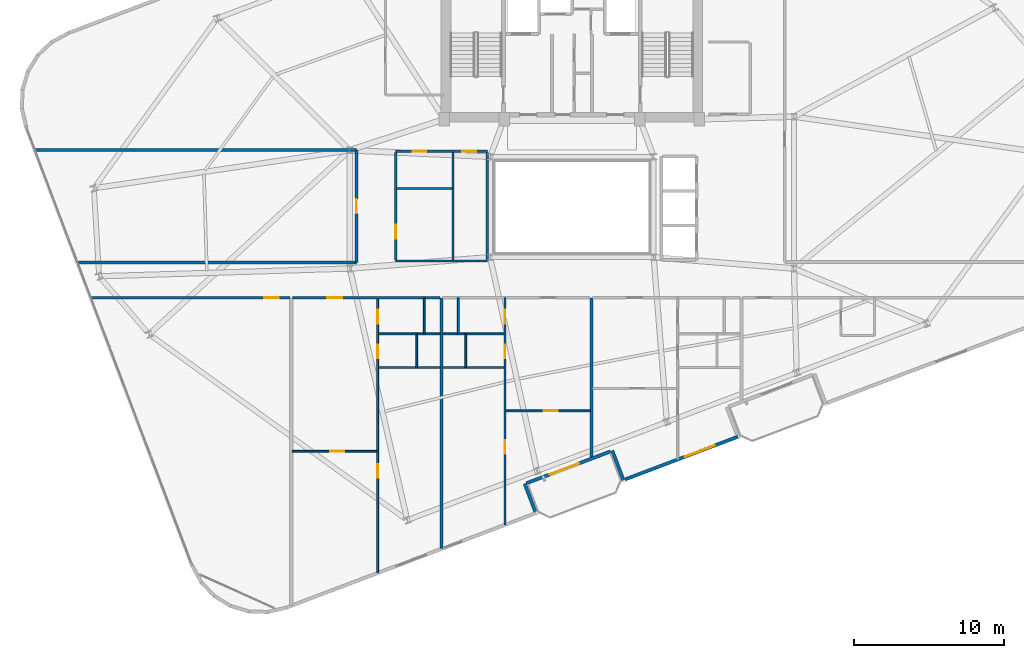
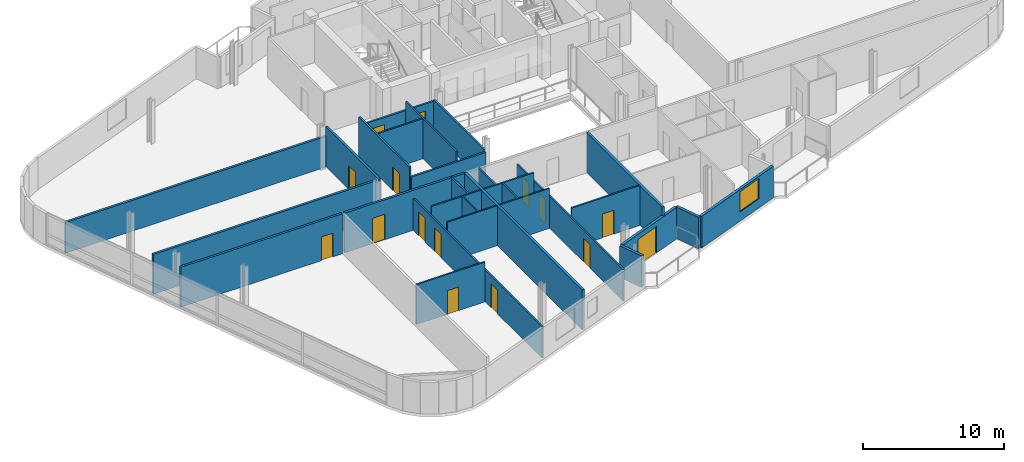
# One storey, part 18 of 24: 29 walls, 15 doors, 1 window, 16 openings.
"""IFC4 building model written with IfcOpenShell, lengths in metres."""

from ifc_helpers import new_model, si_unit, direction, frame, frame_2d, origin, place, context, subcontext, project, spatial, rectangle, extrude, material, layer, layer_set, type_object, element, fill, save


model = new_model("IFC4")

# Units and contexts
model_context = context("Model", 3, precision=1e-05, world=origin(), true_north=direction((0.0, 1.0)))
body_context = subcontext(model_context, "Body", "Model", "MODEL_VIEW")
ifc_project = project(units=[si_unit("LENGTHUNIT", "METRE"), si_unit("AREAUNIT", "SQUARE_METRE"), si_unit("VOLUMEUNIT", "CUBIC_METRE"), si_unit("PLANEANGLEUNIT", "RADIAN"), si_unit("MASSUNIT", "GRAM", prefix="KILO")], contexts=[model_context])

# Site, building, storey
site_placement = place(None, origin())
site = spatial("IfcSite", under=ifc_project, at=site_placement, CompositionType="ELEMENT")
building_placement = place(site_placement, origin())
building = spatial("IfcBuilding", under=site, at=building_placement, Name="Varnelok Gate Tower", CompositionType="ELEMENT")
storey_placement = place(building_placement, frame((0.0, 0.0, 212.699951171875)))
storey = spatial("IfcBuildingStorey", under=building, at=storey_placement, Name="L54", CompositionType="ELEMENT", Elevation=212.699951171875)

# Wall, opening, door
ifc_material_1 = material(Name="Concrete C45/55", Category="concrete")
ifc_layer_1 = layer(ifc_material_1, 0.219970703125)
ifc_layer_set_1 = layer_set([ifc_layer_1], Name="Concrete C45/55")
wall_type_1 = type_object("IfcWallType", Name="EW-BALC-220", PredefinedType="SOLIDWALL", material=ifc_layer_set_1)
wall_1_placement = place(storey_placement, frame((41.783203125, 6.6142578125, 0.0), z_axis=(0.0, 0.0, 1.0), x_axis=(-0.93521416643, -0.354082565101, 0.0)))
wall_1 = element("IfcWall", 1, at=wall_1_placement, inside=storey, type_object=wall_type_1, Name="L54 South Terrace Envelope Wall 1", PredefinedType="SOLIDWALL", context=body_context, shape_type="SweptSolid", body=[
    extrude(rectangle(XDim=6.0, YDim=0.219970703125, at=frame_2d((3.0, 0.0))), origin(), (0.0, 0.0, 1.0), 2.72998046875),
])
opening_1_placement = place(wall_1_placement, frame((2.260009765625, 0.0, 0.0)))
opening_1 = element("IfcOpeningElement", 2, at=opening_1_placement, cuts=wall_1, Name="Opening BD-2", PredefinedType="OPENING", context=body_context, shape_type="SweptSolid", body=[
    extrude(rectangle(XDim=2.10009765625, YDim=2.300048828125, at=frame_2d((1.050048828125, 1.14990234375))), frame((0.0, 0.119873046875, 0.0), z_axis=(0.0, -1.0, 0.0), x_axis=(1.0, 0.0, 0.0)), (0.0, 0.0, 1.0), 0.239990234375),
])
ifc_material_2 = material(Name="Anodized Aluminum Alloy 6063-T6", Category="aluminium")
door_type_1 = type_object("IfcDoorType", Name="DR-EXT-SLID2100", OperationType="SLIDING_TO_LEFT", PredefinedType="DOOR", material=ifc_material_2)
door_1_placement = place(opening_1_placement, origin())
door_1 = element("IfcDoor", 3, at=door_1_placement, inside=storey, type_object=door_type_1, Name="L54 South Balcony Glazed Door 1", OperationType="SLIDING_TO_LEFT", OverallHeight=2.300048828125, OverallWidth=2.10009765625, PredefinedType="DOOR", context=body_context, shape_type="SweptSolid", body=[
    extrude(rectangle(XDim=2.10009765625, YDim=2.300048828125, at=frame_2d((1.050048828125, 1.14990234375))), frame((0.0, 0.02490234375, 0.0), z_axis=(0.0, -1.0, 0.0), x_axis=(1.0, 0.0, 0.0)), (0.0, 0.0, 1.0), 0.050048828125),
])
fill(opening_1, door_1)

# Walls
wall_2_placement = place(storey_placement, frame((36.75537109375, 2.609619140625, 0.0), z_axis=(0.0, 0.0, 1.0), x_axis=(-0.354020680661, 0.935237594232, 0.0)))
element("IfcWall", 4, at=wall_2_placement, inside=storey, type_object=wall_type_1, Name="L54 Perimeter Facade Closure Wall 8", PredefinedType="SOLIDWALL", context=body_context, shape_type="SweptSolid", body=[
    extrude(rectangle(XDim=1.97509765625, YDim=0.219970703125, at=frame_2d((0.987548828125, 0.0))), origin(), (0.0, 0.0, 1.0), 2.72998046875),
])
wall_3_placement = place(storey_placement, frame((41.891845703125, 6.666015625, 0.0), z_axis=(0.0, 0.0, 1.0), x_axis=(0.354128469405, -0.935196785258, 0.0)))
element("IfcWall", 5, at=wall_3_placement, inside=storey, type_object=wall_type_1, Name="L54 Perimeter Facade Closure Wall 9", PredefinedType="SOLIDWALL", context=body_context, shape_type="SweptSolid", body=[
    extrude(rectangle(XDim=2.099853515625, YDim=0.219970703125, at=frame_2d((1.0498046875, 0.0))), origin(), (0.0, 0.0, 1.0), 2.72998046875),
])

# Wall, opening, window
wall_4_placement = place(storey_placement, frame((42.75244140625, 4.746337890625, 0.0), z_axis=(0.0, 0.0, 1.0), x_axis=(0.935216926991, 0.354075273733, 0.0)))
wall_4 = element("IfcWall", 6, at=wall_4_placement, inside=storey, type_object=wall_type_1, Name="L54 Perimeter Facade Closure Wall 10", PredefinedType="SOLIDWALL", context=body_context, shape_type="SweptSolid", body=[
    extrude(rectangle(XDim=8.034912109375, YDim=0.219970703125, at=frame_2d((4.017578125, 0.0))), origin(), (0.0, 0.0, 1.0), 2.72998046875),
])
opening_2_placement = place(wall_4_placement, frame((4.273193359375, 0.0, 0.800048828125)))
opening_2 = element("IfcOpeningElement", 7, at=opening_2_placement, cuts=wall_4, Name="Opening WN4", PredefinedType="OPENING", context=body_context, shape_type="SweptSolid", body=[
    extrude(rectangle(XDim=2.10009765625, YDim=1.75, at=frame_2d((1.050048828125, 0.875))), frame((0.0, 0.119873046875, 0.0), z_axis=(0.0, -1.0, 0.0), x_axis=(1.0, 0.0, 0.0)), (0.0, 0.0, 1.0), 0.239990234375),
])
ifc_material_3 = material(Name="Low-E Laminated Double Glazing IGU", Category="glass")
window_type = type_object("IfcWindowType", Name="WN-SUI-2100", PartitioningType="SINGLE_PANEL", PredefinedType="WINDOW", material=ifc_material_3)
window_placement = place(opening_2_placement, origin())
window = element("IfcWindow", 8, at=window_placement, inside=storey, type_object=window_type, Name="L54 Perimeter Vision Window 10", OverallHeight=1.75, OverallWidth=2.10009765625, PartitioningType="SINGLE_PANEL", PredefinedType="WINDOW", context=body_context, shape_type="SweptSolid", body=[
    extrude(rectangle(XDim=2.10009765625, YDim=1.75, at=frame_2d((1.050048828125, 0.875))), frame((0.0, 0.030029296875, 0.0), z_axis=(0.0, -1.0, 0.0), x_axis=(1.0, 0.0, 0.0)), (0.0, 0.0, 1.0), 0.06005859375),
])
fill(opening_2, window)

# Wall, opening, door
ifc_material_4 = material(Name="Gypsum Plasterboard Acoustic Partition", Category="gypsum")
ifc_layer_2 = layer(ifc_material_4, 0.179931640625)
ifc_layer_set_2 = layer_set([ifc_layer_2], Name="Gypsum Plasterboard Acoustic Partition")
wall_type_2 = type_object("IfcWallType", Name="PW-CORR-180", PredefinedType="PARTITIONING", material=ifc_layer_set_2)
wall_5_placement = place(storey_placement, frame((7.196044921875, 16.85009765625, 0.0), z_axis=(0.0, 0.0, 1.0), x_axis=(1.0, 0.0, 0.0)))
wall_5 = element("IfcWall", 9, at=wall_5_placement, inside=storey, type_object=wall_type_2, Name="Interior Partition", PredefinedType="PARTITIONING", context=body_context, shape_type="SweptSolid", body=[
    extrude(rectangle(XDim=13.223876953125, YDim=0.179931640625, at=frame_2d((6.61181640625, 0.0))), origin(), (0.0, 0.0, 1.0), 3.449951171875),
])
opening_3_placement = place(wall_5_placement, frame((11.50390625, 0.0, 0.0)))
opening_3 = element("IfcOpeningElement", 10, at=opening_3_placement, cuts=wall_5, Name="Opening D-I2", PredefinedType="OPENING", context=body_context, shape_type="SweptSolid", body=[
    extrude(rectangle(XDim=0.949951171875, YDim=2.050048828125, at=frame_2d((0.47509765625, 1.02490234375))), frame((0.0, 0.099853515625, 0.0), z_axis=(0.0, -1.0, 0.0), x_axis=(1.0, 0.0, 0.0)), (0.0, 0.0, 1.0), 0.199951171875),
])
ifc_material_5 = material(Name="Engineered Hardwood Timber", Category="wood")
door_type_2 = type_object("IfcDoorType", Name="DR-INT-950", OperationType="NOTDEFINED", PredefinedType="DOOR", material=ifc_material_5)
door_2_placement = place(opening_3_placement, origin())
door_2 = element("IfcDoor", 11, at=door_2_placement, inside=storey, type_object=door_type_2, Name="L54 Wellness Spa Lounge Door", OperationType="SINGLE_SWING_LEFT", OverallHeight=2.050048828125, OverallWidth=0.949951171875, PredefinedType="DOOR", context=body_context, shape_type="SweptSolid", body=[
    extrude(rectangle(XDim=0.949951171875, YDim=2.050048828125, at=frame_2d((0.47509765625, 1.02490234375))), frame((0.0, 0.02490234375, 0.0), z_axis=(0.0, -1.0, 0.0), x_axis=(1.0, 0.0, 0.0)), (0.0, 0.0, 1.0), 0.050048828125),
])
fill(opening_3, door_2)

wall_6_placement = place(storey_placement, frame((20.580078125, 16.85009765625, 0.0), z_axis=(0.0, 0.0, 1.0), x_axis=(1.0, 0.0, 0.0)))
wall_6 = element("IfcWall", 12, at=wall_6_placement, inside=storey, type_object=wall_type_2, Name="Interior Partition", PredefinedType="PARTITIONING", context=body_context, shape_type="SweptSolid", body=[
    extrude(rectangle(XDim=9.83984375, YDim=0.179931640625, at=frame_2d((4.919921875, 0.0))), origin(), (0.0, 0.0, 1.0), 3.449951171875),
])
opening_4_placement = place(wall_6_placement, frame((2.302490234375, 0.0, 0.0)))
opening_4 = element("IfcOpeningElement", 13, at=opening_4_placement, cuts=wall_6, Name="Opening D-AP", PredefinedType="OPENING", context=body_context, shape_type="SweptSolid", body=[
    extrude(rectangle(XDim=1.0, YDim=2.199951171875, at=frame_2d((0.5, 1.10009765625))), frame((0.0, 0.099853515625, 0.0), z_axis=(0.0, -1.0, 0.0), x_axis=(1.0, 0.0, 0.0)), (0.0, 0.0, 1.0), 0.199951171875),
])
door_type_3 = type_object("IfcDoorType", Name="DR-APT-1000", OperationType="NOTDEFINED", PredefinedType="DOOR", material=ifc_material_5)
door_3_placement = place(opening_4_placement, origin())
door_3 = element("IfcDoor", 14, at=door_3_placement, inside=storey, type_object=door_type_3, Name="L54 Apartment 2 Entrance Door", OperationType="SINGLE_SWING_LEFT", OverallHeight=2.199951171875, OverallWidth=1.0, PredefinedType="DOOR", context=body_context, shape_type="SweptSolid", body=[
    extrude(rectangle(XDim=1.0, YDim=2.199951171875, at=frame_2d((0.5, 1.10009765625))), frame((0.0, 0.02490234375, 0.0), z_axis=(0.0, -1.0, 0.0), x_axis=(1.0, 0.0, 0.0)), (0.0, 0.0, 1.0), 0.050048828125),
])
fill(opening_4, door_3)

wall_7_placement = place(storey_placement, frame((24.85009765625, 19.199951171875, 0.0), z_axis=(0.0, 0.0, 1.0), x_axis=(0.0, 1.0, 0.0)))
wall_7 = element("IfcWall", 15, at=wall_7_placement, inside=storey, type_object=wall_type_2, Name="Interior Partition", PredefinedType="PARTITIONING", context=body_context, shape_type="SweptSolid", body=[
    extrude(rectangle(XDim=7.5, YDim=0.179931640625, at=frame_2d((3.75, 0.0))), origin(), (0.0, 0.0, 1.0), 3.449951171875),
])
opening_5_placement = place(wall_7_placement, frame((3.27490234375, 0.0, 0.0)))
opening_5 = element("IfcOpeningElement", 16, at=opening_5_placement, cuts=wall_7, Name="Opening D-I2", PredefinedType="OPENING", context=body_context, shape_type="SweptSolid", body=[
    extrude(rectangle(XDim=0.949951171875, YDim=2.050048828125, at=frame_2d((0.47509765625, 1.02490234375))), frame((0.0, 0.099853515625, 0.0), z_axis=(0.0, -1.0, 0.0), x_axis=(1.0, 0.0, 0.0)), (0.0, 0.0, 1.0), 0.199951171875),
])
door_4_placement = place(opening_5_placement, origin())
door_4 = element("IfcDoor", 17, at=door_4_placement, inside=storey, type_object=door_type_2, Name="L54 West Flank Room Door", OperationType="SINGLE_SWING_LEFT", OverallHeight=2.050048828125, OverallWidth=0.949951171875, PredefinedType="DOOR", context=body_context, shape_type="SweptSolid", body=[
    extrude(rectangle(XDim=0.949951171875, YDim=2.050048828125, at=frame_2d((0.47509765625, 1.02490234375))), frame((0.0, 0.02490234375, 0.0), z_axis=(0.0, -1.0, 0.0), x_axis=(1.0, 0.0, 0.0)), (0.0, 0.0, 1.0), 0.050048828125),
])
fill(opening_5, door_4)

# Walls
wall_8_placement = place(storey_placement, frame((6.306396484375, 19.199951171875, 0.0), z_axis=(0.0, 0.0, 1.0), x_axis=(1.0, 0.0, 0.0)))
element("IfcWall", 18, at=wall_8_placement, inside=storey, type_object=wall_type_2, Name="Interior Partition", PredefinedType="PARTITIONING", context=body_context, shape_type="SweptSolid", body=[
    extrude(rectangle(XDim=18.543701171875, YDim=0.179931640625, at=frame_2d((9.27197265625, 0.0))), origin(), (0.0, 0.0, 1.0), 3.449951171875),
])
wall_9_placement = place(storey_placement, frame((3.467041015625, 26.699951171875, 0.0), z_axis=(0.0, 0.0, 1.0), x_axis=(1.0, 0.0, 0.0)))
element("IfcWall", 19, at=wall_9_placement, inside=storey, type_object=wall_type_2, Name="Interior Partition", PredefinedType="PARTITIONING", context=body_context, shape_type="SweptSolid", body=[
    extrude(rectangle(XDim=21.383056640625, YDim=0.179931640625, at=frame_2d((10.69140625, 0.0))), origin(), (0.0, 0.0, 1.0), 2.662109375),
])
ifc_layer_3 = layer(ifc_material_4, 0.114990234375)
ifc_layer_set_3 = layer_set([ifc_layer_3], Name="Gypsum Plasterboard Acoustic Partition")
wall_type_3 = type_object("IfcWallType", Name="PW-ENS-125", PredefinedType="PARTITIONING", material=ifc_layer_set_3)
wall_10_placement = place(storey_placement, frame((26.3251953125, 12.199951171875, 0.0), z_axis=(0.0, 0.0, 1.0), x_axis=(1.0, 0.0, 0.0)))
element("IfcWall", 20, at=wall_10_placement, inside=storey, type_object=wall_type_3, Name="Interior Partition", PredefinedType="PARTITIONING", context=body_context, shape_type="SweptSolid", body=[
    extrude(rectangle(XDim=4.0947265625, YDim=0.114990234375, at=frame_2d((2.04736328125, 0.0))), origin(), (0.0, 0.0, 1.0), 3.449951171875),
])
wall_11_placement = place(storey_placement, frame((28.865234375, 12.199951171875, 0.0), z_axis=(0.0, 0.0, 1.0), x_axis=(0.0, 1.0, 0.0)))
element("IfcWall", 21, at=wall_11_placement, inside=storey, type_object=wall_type_3, Name="Interior Partition", PredefinedType="PARTITIONING", context=body_context, shape_type="SweptSolid", body=[
    extrude(rectangle(XDim=2.239990234375, YDim=0.114990234375, at=frame_2d((1.1201171875, 0.0))), origin(), (0.0, 0.0, 1.0), 3.449951171875),
])
wall_12_placement = place(storey_placement, frame((30.580078125, 12.199951171875, 0.0), z_axis=(0.0, 0.0, 1.0), x_axis=(1.0, 0.0, 0.0)))
element("IfcWall", 22, at=wall_12_placement, inside=storey, type_object=wall_type_3, Name="Interior Partition", PredefinedType="PARTITIONING", context=body_context, shape_type="SweptSolid", body=[
    extrude(rectangle(XDim=4.0947265625, YDim=0.114990234375, at=frame_2d((2.04736328125, 0.0))), origin(), (0.0, 0.0, 1.0), 3.449951171875),
])
wall_13_placement = place(storey_placement, frame((32.134765625, 12.199951171875, 0.0), z_axis=(0.0, 0.0, 1.0), x_axis=(0.0, 1.0, 0.0)))
element("IfcWall", 23, at=wall_13_placement, inside=storey, type_object=wall_type_3, Name="Interior Partition", PredefinedType="PARTITIONING", context=body_context, shape_type="SweptSolid", body=[
    extrude(rectangle(XDim=2.239990234375, YDim=0.114990234375, at=frame_2d((1.1201171875, 0.0))), origin(), (0.0, 0.0, 1.0), 3.449951171875),
])

# Wall, opening, door
ifc_layer_4 = layer(ifc_material_4, 0.125)
ifc_layer_set_4 = layer_set([ifc_layer_4], Name="Gypsum Plasterboard Acoustic Partition")
wall_type_4 = type_object("IfcWallType", Name="PW-PART-125", PredefinedType="PARTITIONING", material=ifc_layer_set_4)
wall_14_placement = place(storey_placement, frame((20.580078125, 6.62255859375, 0.0), z_axis=(0.0, 0.0, 1.0), x_axis=(1.0, 0.0, 0.0)))
wall_14 = element("IfcWall", 24, at=wall_14_placement, inside=storey, type_object=wall_type_4, Name="Interior Partition", PredefinedType="PARTITIONING", context=body_context, shape_type="SweptSolid", body=[
    extrude(rectangle(XDim=5.605224609375, YDim=0.125, at=frame_2d((2.802734375, 0.0))), origin(), (0.0, 0.0, 1.0), 3.449951171875),
])
opening_6_placement = place(wall_14_placement, frame((2.522216796875, 0.0, 0.0)))
opening_6 = element("IfcOpeningElement", 25, at=opening_6_placement, cuts=wall_14, Name="Opening D-I3", PredefinedType="OPENING", context=body_context, shape_type="SweptSolid", body=[
    extrude(rectangle(XDim=0.919921875, YDim=2.050048828125, at=frame_2d((0.4599609375, 1.02490234375))), frame((0.0, 0.072509765625, 0.0), z_axis=(0.0, -1.0, 0.0), x_axis=(1.0, 0.0, 0.0)), (0.0, 0.0, 1.0), 0.14501953125),
])
door_type_4 = type_object("IfcDoorType", Name="DR-INT-920", OperationType="NOTDEFINED", PredefinedType="DOOR", material=ifc_material_5)
door_5_placement = place(opening_6_placement, origin())
door_5 = element("IfcDoor", 26, at=door_5_placement, inside=storey, type_object=door_type_4, Name="L54 Apartment 2 Study Door", OperationType="SINGLE_SWING_LEFT", OverallHeight=2.050048828125, OverallWidth=0.919921875, PredefinedType="DOOR", context=body_context, shape_type="SweptSolid", body=[
    extrude(rectangle(XDim=0.919921875, YDim=2.050048828125, at=frame_2d((0.4599609375, 1.02490234375))), frame((0.0, 0.02490234375, 0.0), z_axis=(0.0, -1.0, 0.0), x_axis=(1.0, 0.0, 0.0)), (0.0, 0.0, 1.0), 0.050048828125),
])
fill(opening_6, door_5)

# Wall, openings, doors
wall_15_placement = place(storey_placement, frame((26.255126953125, -1.477783203125, 0.0), z_axis=(0.0, 0.0, 1.0), x_axis=(0.0, 1.0, 0.0)))
wall_15 = element("IfcWall", 27, at=wall_15_placement, inside=storey, type_object=wall_type_4, Name="Interior Partition", PredefinedType="PARTITIONING", context=body_context, shape_type="SweptSolid", body=[
    extrude(rectangle(XDim=18.327880859375, YDim=0.125, at=frame_2d((9.1640625, 0.0))), origin(), (0.0, 0.0, 1.0), 2.739013671875),
])
opening_7_placement = place(wall_15_placement, frame((6.319091796875, 0.0, 0.0)))
opening_7 = element("IfcOpeningElement", 28, at=opening_7_placement, cuts=wall_15, Name="Opening D-I3", PredefinedType="OPENING", context=body_context, shape_type="SweptSolid", body=[
    extrude(rectangle(XDim=0.919921875, YDim=2.050048828125, at=frame_2d((0.4599609375, 1.02490234375))), frame((0.0, 0.072509765625, 0.0), z_axis=(0.0, -1.0, 0.0), x_axis=(1.0, 0.0, 0.0)), (0.0, 0.0, 1.0), 0.14501953125),
])
opening_8_placement = place(wall_15_placement, frame((14.30517578125, 0.0, 0.0)))
opening_8 = element("IfcOpeningElement", 29, at=opening_8_placement, cuts=wall_15, Name="Opening D-WC", PredefinedType="OPENING", context=body_context, shape_type="SweptSolid", body=[
    extrude(rectangle(XDim=0.89990234375, YDim=2.050048828125, at=frame_2d((0.449951171875, 1.02490234375))), frame((0.0, 0.072509765625, 0.0), z_axis=(0.0, -1.0, 0.0), x_axis=(1.0, 0.0, 0.0)), (0.0, 0.0, 1.0), 0.14501953125),
])
opening_9_placement = place(wall_15_placement, frame((16.597900390625, 0.0, 0.0)))
opening_9 = element("IfcOpeningElement", 30, at=opening_9_placement, cuts=wall_15, Name="Opening D-I3", PredefinedType="OPENING", context=body_context, shape_type="SweptSolid", body=[
    extrude(rectangle(XDim=0.919921875, YDim=2.050048828125, at=frame_2d((0.4599609375, 1.02490234375))), frame((0.0, 0.072509765625, 0.0), z_axis=(0.0, -1.0, 0.0), x_axis=(1.0, 0.0, 0.0)), (0.0, 0.0, 1.0), 0.14501953125),
])
door_type_5 = type_object("IfcDoorType", Name="DR-BATH-900", OperationType="NOTDEFINED", PredefinedType="DOOR", material=ifc_material_5)
door_6_placement = place(opening_8_placement, origin())
door_6 = element("IfcDoor", 31, at=door_6_placement, inside=storey, type_object=door_type_5, Name="L54 Apartment 2 Bathroom Door", OperationType="SINGLE_SWING_LEFT", OverallHeight=2.050048828125, OverallWidth=0.89990234375, PredefinedType="DOOR", context=body_context, shape_type="SweptSolid", body=[
    extrude(rectangle(XDim=0.89990234375, YDim=2.050048828125, at=frame_2d((0.449951171875, 1.02490234375))), frame((0.0, 0.02490234375, 0.0), z_axis=(0.0, -1.0, 0.0), x_axis=(1.0, 0.0, 0.0)), (0.0, 0.0, 1.0), 0.050048828125),
])
fill(opening_8, door_6)
door_7_placement = place(opening_7_placement, origin())
door_7 = element("IfcDoor", 32, at=door_7_placement, inside=storey, type_object=door_type_4, Name="L54 Apartment 2 Bedroom Door", OperationType="SINGLE_SWING_RIGHT", OverallHeight=2.050048828125, OverallWidth=0.919921875, PredefinedType="DOOR", context=body_context, shape_type="SweptSolid", body=[
    extrude(rectangle(XDim=0.919921875, YDim=2.050048828125, at=frame_2d((0.4599609375, 1.02490234375))), frame((0.0, 0.02490234375, 0.0), z_axis=(0.0, -1.0, 0.0), x_axis=(1.0, 0.0, 0.0)), (0.0, 0.0, 1.0), 0.050048828125),
])
fill(opening_7, door_7)
door_8_placement = place(opening_9_placement, origin())
door_8 = element("IfcDoor", 33, at=door_8_placement, inside=storey, type_object=door_type_4, Name="L54 Apartment 2 Kitchen Door", OperationType="SINGLE_SWING_RIGHT", OverallHeight=2.050048828125, OverallWidth=0.919921875, PredefinedType="DOOR", context=body_context, shape_type="SweptSolid", body=[
    extrude(rectangle(XDim=0.919921875, YDim=2.050048828125, at=frame_2d((0.4599609375, 1.02490234375))), frame((0.0, 0.02490234375, 0.0), z_axis=(0.0, -1.0, 0.0), x_axis=(1.0, 0.0, 0.0)), (0.0, 0.0, 1.0), 0.050048828125),
])
fill(opening_9, door_8)

# Walls
wall_16_placement = place(storey_placement, frame((26.3251953125, 14.43994140625, 0.0), z_axis=(0.0, 0.0, 1.0), x_axis=(1.0, 0.0, 0.0)))
element("IfcWall", 34, at=wall_16_placement, inside=storey, type_object=wall_type_4, Name="Interior Partition", PredefinedType="PARTITIONING", context=body_context, shape_type="SweptSolid", body=[
    extrude(rectangle(XDim=4.0947265625, YDim=0.125, at=frame_2d((2.04736328125, 0.0))), origin(), (0.0, 0.0, 1.0), 3.449951171875),
])
wall_17_placement = place(storey_placement, frame((29.365234375, 14.43994140625, 0.0), z_axis=(0.0, 0.0, 1.0), x_axis=(0.0, 1.0, 0.0)))
element("IfcWall", 35, at=wall_17_placement, inside=storey, type_object=wall_type_4, Name="Interior Partition", PredefinedType="PARTITIONING", context=body_context, shape_type="SweptSolid", body=[
    extrude(rectangle(XDim=2.41015625, YDim=0.125, at=frame_2d((1.205078125, 0.0))), origin(), (0.0, 0.0, 1.0), 3.449951171875),
])

# Wall, opening, door
wall_18_placement = place(storey_placement, frame((34.814697265625, 9.31689453125, 0.0), z_axis=(0.0, 0.0, 1.0), x_axis=(1.0, 0.0, 0.0)))
wall_18 = element("IfcWall", 36, at=wall_18_placement, inside=storey, type_object=wall_type_4, Name="Interior Partition", PredefinedType="PARTITIONING", context=body_context, shape_type="SweptSolid", body=[
    extrude(rectangle(XDim=5.605224609375, YDim=0.125, at=frame_2d((2.802734375, 0.0))), origin(), (0.0, 0.0, 1.0), 3.449951171875),
])
opening_10_placement = place(wall_18_placement, frame((2.522216796875, 0.0, 0.0)))
opening_10 = element("IfcOpeningElement", 37, at=opening_10_placement, cuts=wall_18, Name="Opening D-I3", PredefinedType="OPENING", context=body_context, shape_type="SweptSolid", body=[
    extrude(rectangle(XDim=0.919921875, YDim=2.050048828125, at=frame_2d((0.4599609375, 1.02490234375))), frame((0.0, 0.072509765625, 0.0), z_axis=(0.0, -1.0, 0.0), x_axis=(1.0, 0.0, 0.0)), (0.0, 0.0, 1.0), 0.14501953125),
])
door_9_placement = place(opening_10_placement, origin())
door_9 = element("IfcDoor", 38, at=door_9_placement, inside=storey, type_object=door_type_4, Name="L54 Apartment 3 Study Door", OperationType="SINGLE_SWING_LEFT", OverallHeight=2.050048828125, OverallWidth=0.919921875, PredefinedType="DOOR", context=body_context, shape_type="SweptSolid", body=[
    extrude(rectangle(XDim=0.919921875, YDim=2.050048828125, at=frame_2d((0.4599609375, 1.02490234375))), frame((0.0, 0.02490234375, 0.0), z_axis=(0.0, -1.0, 0.0), x_axis=(1.0, 0.0, 0.0)), (0.0, 0.0, 1.0), 0.050048828125),
])
fill(opening_10, door_9)

# Wall, openings, doors
wall_19_placement = place(storey_placement, frame((34.744873046875, 1.736083984375, 0.0), z_axis=(0.0, 0.0, 1.0), x_axis=(0.0, 1.0, 0.0)))
wall_19 = element("IfcWall", 39, at=wall_19_placement, inside=storey, type_object=wall_type_4, Name="Interior Partition", PredefinedType="PARTITIONING", context=body_context, shape_type="SweptSolid", body=[
    extrude(rectangle(XDim=15.114013671875, YDim=0.125, at=frame_2d((7.55712890625, 0.0))), origin(), (0.0, 0.0, 1.0), 2.739013671875),
])
opening_11_placement = place(wall_19_placement, frame((4.7119140625, 0.0, 0.0)))
opening_11 = element("IfcOpeningElement", 40, at=opening_11_placement, cuts=wall_19, Name="Opening D-I3", PredefinedType="OPENING", context=body_context, shape_type="SweptSolid", body=[
    extrude(rectangle(XDim=0.919921875, YDim=2.050048828125, at=frame_2d((0.4599609375, 1.02490234375))), frame((0.0, 0.072509765625, 0.0), z_axis=(0.0, -1.0, 0.0), x_axis=(1.0, 0.0, 0.0)), (0.0, 0.0, 1.0), 0.14501953125),
])
opening_12_placement = place(wall_19_placement, frame((11.091064453125, 0.0, 0.0)))
opening_12 = element("IfcOpeningElement", 41, at=opening_12_placement, cuts=wall_19, Name="Opening D-WC", PredefinedType="OPENING", context=body_context, shape_type="SweptSolid", body=[
    extrude(rectangle(XDim=0.89990234375, YDim=2.050048828125, at=frame_2d((0.449951171875, 1.02490234375))), frame((0.0, 0.072509765625, 0.0), z_axis=(0.0, -1.0, 0.0), x_axis=(1.0, 0.0, 0.0)), (0.0, 0.0, 1.0), 0.14501953125),
])
opening_13_placement = place(wall_19_placement, frame((13.3837890625, 0.0, 0.0)))
opening_13 = element("IfcOpeningElement", 42, at=opening_13_placement, cuts=wall_19, Name="Opening D-I3", PredefinedType="OPENING", context=body_context, shape_type="SweptSolid", body=[
    extrude(rectangle(XDim=0.919921875, YDim=2.050048828125, at=frame_2d((0.4599609375, 1.02490234375))), frame((0.0, 0.072509765625, 0.0), z_axis=(0.0, -1.0, 0.0), x_axis=(1.0, 0.0, 0.0)), (0.0, 0.0, 1.0), 0.14501953125),
])
door_10_placement = place(opening_12_placement, origin())
door_10 = element("IfcDoor", 43, at=door_10_placement, inside=storey, type_object=door_type_5, Name="L54 Apartment 3 Bathroom Door", OperationType="SINGLE_SWING_LEFT", OverallHeight=2.050048828125, OverallWidth=0.89990234375, PredefinedType="DOOR", context=body_context, shape_type="SweptSolid", body=[
    extrude(rectangle(XDim=0.89990234375, YDim=2.050048828125, at=frame_2d((0.449951171875, 1.02490234375))), frame((0.0, 0.02490234375, 0.0), z_axis=(0.0, -1.0, 0.0), x_axis=(1.0, 0.0, 0.0)), (0.0, 0.0, 1.0), 0.050048828125),
])
fill(opening_12, door_10)
door_11_placement = place(opening_11_placement, origin())
door_11 = element("IfcDoor", 44, at=door_11_placement, inside=storey, type_object=door_type_4, Name="L54 Apartment 3 Bedroom Door", OperationType="SINGLE_SWING_RIGHT", OverallHeight=2.050048828125, OverallWidth=0.919921875, PredefinedType="DOOR", context=body_context, shape_type="SweptSolid", body=[
    extrude(rectangle(XDim=0.919921875, YDim=2.050048828125, at=frame_2d((0.4599609375, 1.02490234375))), frame((0.0, 0.02490234375, 0.0), z_axis=(0.0, -1.0, 0.0), x_axis=(1.0, 0.0, 0.0)), (0.0, 0.0, 1.0), 0.050048828125),
])
fill(opening_11, door_11)
door_12_placement = place(opening_13_placement, origin())
door_12 = element("IfcDoor", 45, at=door_12_placement, inside=storey, type_object=door_type_4, Name="L54 Apartment 3 Kitchen Door", OperationType="SINGLE_SWING_RIGHT", OverallHeight=2.050048828125, OverallWidth=0.919921875, PredefinedType="DOOR", context=body_context, shape_type="SweptSolid", body=[
    extrude(rectangle(XDim=0.919921875, YDim=2.050048828125, at=frame_2d((0.4599609375, 1.02490234375))), frame((0.0, 0.02490234375, 0.0), z_axis=(0.0, -1.0, 0.0), x_axis=(1.0, 0.0, 0.0)), (0.0, 0.0, 1.0), 0.050048828125),
])
fill(opening_13, door_12)

# Walls
wall_20_placement = place(storey_placement, frame((30.580078125, 14.43994140625, 0.0), z_axis=(0.0, 0.0, 1.0), x_axis=(1.0, 0.0, 0.0)))
element("IfcWall", 46, at=wall_20_placement, inside=storey, type_object=wall_type_4, Name="Interior Partition", PredefinedType="PARTITIONING", context=body_context, shape_type="SweptSolid", body=[
    extrude(rectangle(XDim=4.0947265625, YDim=0.125, at=frame_2d((2.04736328125, 0.0))), origin(), (0.0, 0.0, 1.0), 3.449951171875),
])
wall_21_placement = place(storey_placement, frame((31.634765625, 14.43994140625, 0.0), z_axis=(0.0, 0.0, 1.0), x_axis=(0.0, 1.0, 0.0)))
element("IfcWall", 47, at=wall_21_placement, inside=storey, type_object=wall_type_4, Name="Interior Partition", PredefinedType="PARTITIONING", context=body_context, shape_type="SweptSolid", body=[
    extrude(rectangle(XDim=2.41015625, YDim=0.125, at=frame_2d((1.205078125, 0.0))), origin(), (0.0, 0.0, 1.0), 3.449951171875),
])
wall_22_placement = place(storey_placement, frame((31.280029296875, 19.3798828125, 0.0), z_axis=(0.0, 0.0, 1.0), x_axis=(0.0, 1.0, 0.0)))
element("IfcWall", 48, at=wall_22_placement, inside=storey, type_object=wall_type_4, Name="Interior Partition", PredefinedType="PARTITIONING", context=body_context, shape_type="SweptSolid", body=[
    extrude(rectangle(XDim=7.16015625, YDim=0.125, at=frame_2d((3.580078125, 0.0))), origin(), (0.0, 0.0, 1.0), 3.449951171875),
])
wall_23_placement = place(storey_placement, frame((27.52001953125, 24.1298828125, 0.0), z_axis=(0.0, 0.0, 1.0), x_axis=(1.0, 0.0, 0.0)))
element("IfcWall", 49, at=wall_23_placement, inside=storey, type_object=wall_type_4, Name="Interior Partition", PredefinedType="PARTITIONING", context=body_context, shape_type="SweptSolid", body=[
    extrude(rectangle(XDim=3.699951171875, YDim=0.125, at=frame_2d((1.85009765625, 0.0))), origin(), (0.0, 0.0, 1.0), 3.449951171875),
])
ifc_layer_5 = layer(ifc_material_4, 0.14990234375)
ifc_layer_set_5 = layer_set([ifc_layer_5], Name="Gypsum Plasterboard Acoustic Partition")
wall_type_5 = type_object("IfcWallType", Name="PW-PART-150", PredefinedType="PARTITIONING", material=ifc_layer_set_5)
wall_24_placement = place(storey_placement, frame((27.4599609375, 19.300048828125, 0.0), z_axis=(0.0, 0.0, 1.0), x_axis=(1.0, 0.0, 0.0)))
element("IfcWall", 50, at=wall_24_placement, inside=storey, type_object=wall_type_5, Name="Interior Partition", PredefinedType="PARTITIONING", context=body_context, shape_type="SweptSolid", body=[
    extrude(rectangle(XDim=6.10009765625, YDim=0.14990234375, at=frame_2d((3.050048828125, 0.0))), origin(), (0.0, 0.0, 1.0), 2.662109375),
])

# Wall, openings, doors
wall_25_placement = place(storey_placement, frame((27.4599609375, 26.6201171875, 0.0), z_axis=(0.0, 0.0, 1.0), x_axis=(1.0, 0.0, 0.0)))
wall_25 = element("IfcWall", 51, at=wall_25_placement, inside=storey, type_object=wall_type_5, Name="Interior Partition", PredefinedType="PARTITIONING", context=body_context, shape_type="SweptSolid", body=[
    extrude(rectangle(XDim=6.10009765625, YDim=0.14990234375, at=frame_2d((3.050048828125, 0.0))), origin(), (0.0, 0.0, 1.0), 2.662109375),
])
opening_14_placement = place(wall_25_placement, frame((1.14990234375, 0.0, 0.0)))
opening_14 = element("IfcOpeningElement", 52, at=opening_14_placement, cuts=wall_25, Name="Opening D-WC", PredefinedType="OPENING", context=body_context, shape_type="SweptSolid", body=[
    extrude(rectangle(XDim=0.89990234375, YDim=2.050048828125, at=frame_2d((0.449951171875, 1.02490234375))), frame((0.0, 0.0849609375, 0.0), z_axis=(0.0, -1.0, 0.0), x_axis=(1.0, 0.0, 0.0)), (0.0, 0.0, 1.0), 0.169921875),
])
opening_15_placement = place(wall_25_placement, frame((4.449951171875, 0.0, 0.0)))
opening_15 = element("IfcOpeningElement", 53, at=opening_15_placement, cuts=wall_25, Name="Opening D-I3", PredefinedType="OPENING", context=body_context, shape_type="SweptSolid", body=[
    extrude(rectangle(XDim=0.919921875, YDim=2.050048828125, at=frame_2d((0.4599609375, 1.02490234375))), frame((0.0, 0.0849609375, 0.0), z_axis=(0.0, -1.0, 0.0), x_axis=(1.0, 0.0, 0.0)), (0.0, 0.0, 1.0), 0.169921875),
])
door_13_placement = place(opening_14_placement, origin())
door_13 = element("IfcDoor", 54, at=door_13_placement, inside=storey, type_object=door_type_5, Name="L54 Accessible Floor WC Door", OperationType="SINGLE_SWING_LEFT", OverallHeight=2.050048828125, OverallWidth=0.89990234375, PredefinedType="DOOR", context=body_context, shape_type="SweptSolid", body=[
    extrude(rectangle(XDim=0.89990234375, YDim=2.050048828125, at=frame_2d((0.449951171875, 1.02490234375))), frame((0.0, 0.02490234375, 0.0), z_axis=(0.0, -1.0, 0.0), x_axis=(1.0, 0.0, 0.0)), (0.0, 0.0, 1.0), 0.050048828125),
])
fill(opening_14, door_13)
door_14_placement = place(opening_15_placement, origin())
door_14 = element("IfcDoor", 55, at=door_14_placement, inside=storey, type_object=door_type_4, Name="L54 Valet Pantry Door", OperationType="SINGLE_SWING_RIGHT", OverallHeight=2.050048828125, OverallWidth=0.919921875, PredefinedType="DOOR", context=body_context, shape_type="SweptSolid", body=[
    extrude(rectangle(XDim=0.919921875, YDim=2.050048828125, at=frame_2d((0.4599609375, 1.02490234375))), frame((0.0, 0.02490234375, 0.0), z_axis=(0.0, -1.0, 0.0), x_axis=(1.0, 0.0, 0.0)), (0.0, 0.0, 1.0), 0.050048828125),
])
fill(opening_15, door_14)

# Wall, opening, door
wall_26_placement = place(storey_placement, frame((27.4599609375, 19.3798828125, 0.0), z_axis=(0.0, 0.0, 1.0), x_axis=(0.0, 1.0, 0.0)))
wall_26 = element("IfcWall", 56, at=wall_26_placement, inside=storey, type_object=wall_type_5, Name="Interior Partition", PredefinedType="PARTITIONING", context=body_context, shape_type="SweptSolid", body=[
    extrude(rectangle(XDim=7.16015625, YDim=0.14990234375, at=frame_2d((3.580078125, 0.0))), origin(), (0.0, 0.0, 1.0), 3.449951171875),
])
opening_16_placement = place(wall_26_placement, frame((1.39990234375, 0.0, 0.0)))
opening_16 = element("IfcOpeningElement", 57, at=opening_16_placement, cuts=wall_26, Name="Opening D-I2", PredefinedType="OPENING", context=body_context, shape_type="SweptSolid", body=[
    extrude(rectangle(XDim=0.949951171875, YDim=2.050048828125, at=frame_2d((0.47509765625, 1.02490234375))), frame((0.0, 0.0849609375, 0.0), z_axis=(0.0, -1.0, 0.0), x_axis=(1.0, 0.0, 0.0)), (0.0, 0.0, 1.0), 0.169921875),
])
door_15_placement = place(opening_16_placement, origin())
door_15 = element("IfcDoor", 58, at=door_15_placement, inside=storey, type_object=door_type_2, Name="L54 Private Owners Horizon Club Door", OperationType="SINGLE_SWING_LEFT", OverallHeight=2.050048828125, OverallWidth=0.949951171875, PredefinedType="DOOR", context=body_context, shape_type="SweptSolid", body=[
    extrude(rectangle(XDim=0.949951171875, YDim=2.050048828125, at=frame_2d((0.47509765625, 1.02490234375))), frame((0.0, 0.02490234375, 0.0), z_axis=(0.0, -1.0, 0.0), x_axis=(1.0, 0.0, 0.0)), (0.0, 0.0, 1.0), 0.050048828125),
])
fill(opening_16, door_15)

# Walls
wall_27_placement = place(storey_placement, frame((33.56005859375, 19.3798828125, 0.0), z_axis=(0.0, 0.0, 1.0), x_axis=(0.0, 1.0, 0.0)))
element("IfcWall", 59, at=wall_27_placement, inside=storey, type_object=wall_type_5, Name="Interior Partition", PredefinedType="PARTITIONING", context=body_context, shape_type="SweptSolid", body=[
    extrude(rectangle(XDim=7.16015625, YDim=0.14990234375, at=frame_2d((3.580078125, 0.0))), origin(), (0.0, 0.0, 1.0), 2.823974609375),
])
ifc_layer_6 = layer(ifc_material_4, 0.205078125)
ifc_layer_set_6 = layer_set([ifc_layer_6], Name="Gypsum Plasterboard Acoustic Partition")
wall_type_6 = type_object("IfcWallType", Name="PW-PARTY-200", PredefinedType="PARTITIONING", material=ifc_layer_set_6)
wall_28_placement = place(storey_placement, frame((30.5, 0.129150390625, 0.0), z_axis=(0.0, 0.0, 1.0), x_axis=(0.0, 1.0, 0.0)))
element("IfcWall", 60, at=wall_28_placement, inside=storey, type_object=wall_type_6, Name="L54 South Party Wall 2", PredefinedType="PARTITIONING", context=body_context, shape_type="SweptSolid", body=[
    extrude(rectangle(XDim=16.720947265625, YDim=0.205078125, at=frame_2d((8.3603515625, 0.0))), origin(), (0.0, 0.0, 1.0), 3.449951171875),
])
wall_29_placement = place(storey_placement, frame((40.5, 6.160400390625, 0.0), z_axis=(0.0, 0.0, 1.0), x_axis=(0.0, 1.0, 0.0)))
element("IfcWall", 61, at=wall_29_placement, inside=storey, type_object=wall_type_6, Name="L54 South Party Wall 3", PredefinedType="PARTITIONING", context=body_context, shape_type="SweptSolid", body=[
    extrude(rectangle(XDim=10.689697265625, YDim=0.205078125, at=frame_2d((5.3447265625, 0.0))), origin(), (0.0, 0.0, 1.0), 3.449951171875),
])

save(model, "model.ifc")
